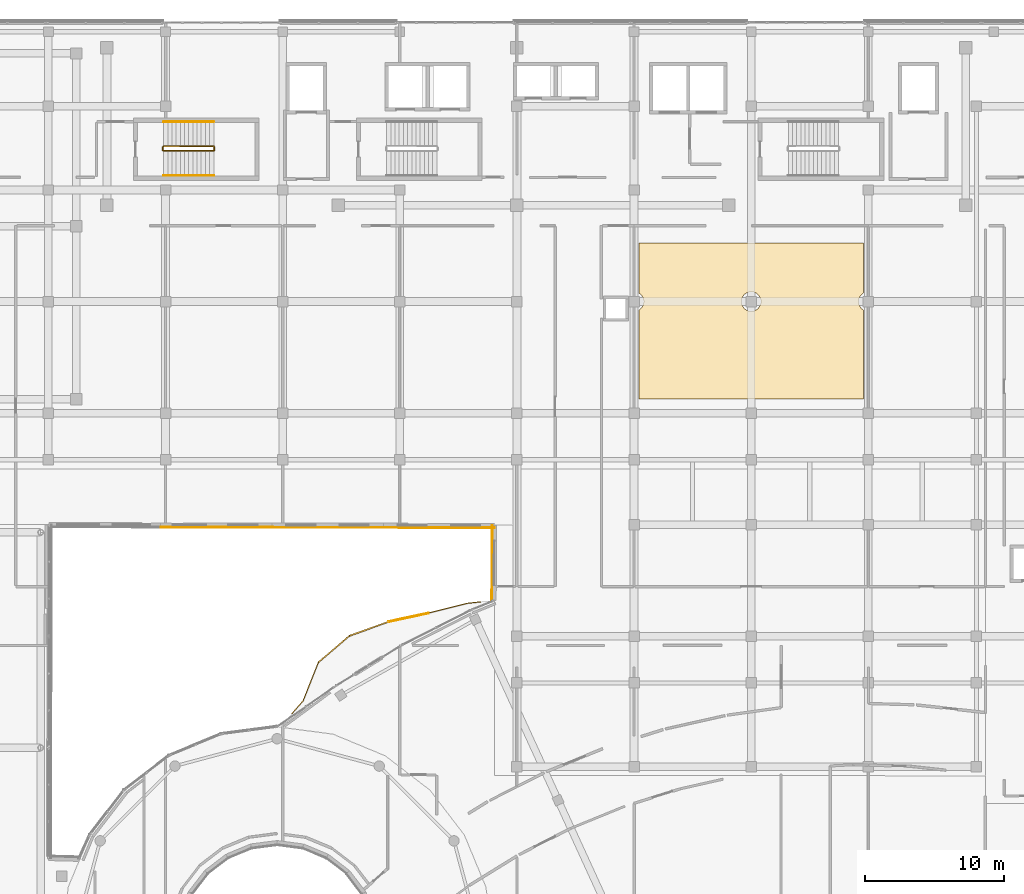
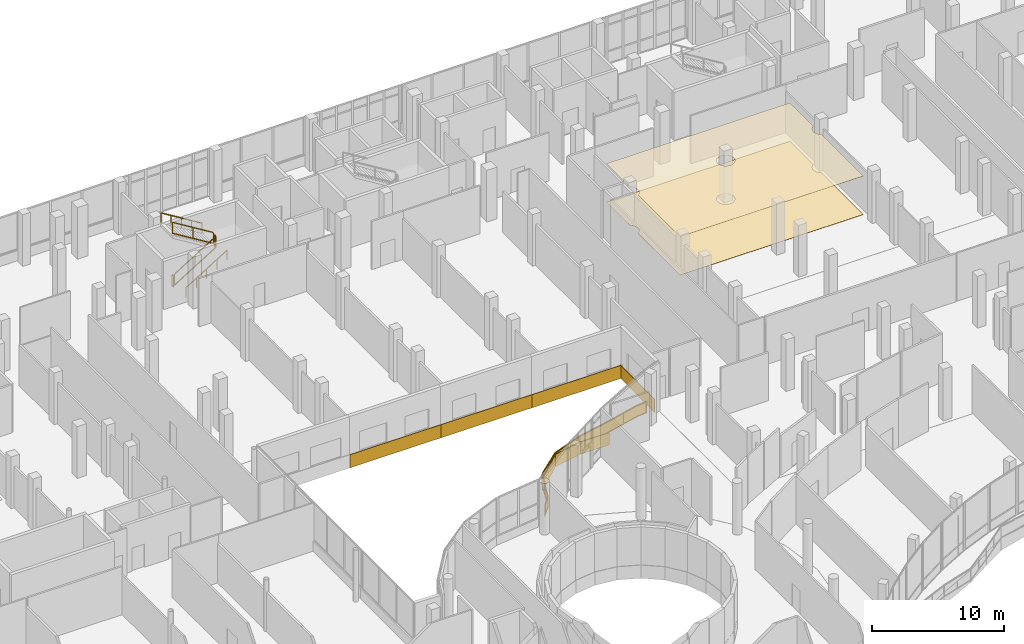
# One storey, part 152 of 155: 9 coverings, 8 railings.
"""IFC4 building model written with IfcOpenShell, lengths in metres."""

from ifc_helpers import new_model, si_unit, direction, frame, origin, origin_2d, place, context, subcontext, project, spatial, polyline, rectangle, circle, outline, extrude, material, layer, layer_set, type_object, element, save


model = new_model("IFC4")

# Units and contexts
model_context = context("Model", 3, precision=1e-05, world=origin(), true_north=direction((0.0, 1.0)))
body_context = subcontext(model_context, "Body", "Model", "MODEL_VIEW")
ifc_project = project(units=[si_unit("LENGTHUNIT", "METRE"), si_unit("AREAUNIT", "SQUARE_METRE"), si_unit("VOLUMEUNIT", "CUBIC_METRE"), si_unit("PLANEANGLEUNIT", "RADIAN"), si_unit("MASSUNIT", "GRAM", prefix="KILO")], contexts=[model_context])

# Site, building, storey
site_placement = place(None, origin())
site = spatial("IfcSite", under=ifc_project, at=site_placement, CompositionType="ELEMENT")
building_placement = place(site_placement, origin())
building = spatial("IfcBuilding", under=site, at=building_placement, Name="Selatvlak General Hospital", CompositionType="ELEMENT")
storey_placement = place(building_placement, frame((0.0, 0.0, 10.199951171875)))
storey = spatial("IfcBuildingStorey", under=building, at=storey_placement, Name="L02", CompositionType="ELEMENT", Elevation=10.199951171875)

# Coverings
ifc_material_1 = material(Name="Acoustic mineral fibre ceiling tile")
ifc_layer_1 = layer(ifc_material_1, 0.02490234375, Name="Acoustic mineral fibre ceiling tile")
ifc_layer_set_1 = layer_set([ifc_layer_1], Name="Acoustic mineral fibre ceiling tile")
covering_type_1 = type_object("IfcCoveringType", Name="COV-CEIL1", PredefinedType="CEILING", material=ifc_layer_set_1)
covering_1_placement = place(storey_placement, frame((0.0, 0.0, 3.56005859375)))
element("IfcCovering", 1, at=covering_1_placement, inside=storey, type_object=covering_type_1, Name="L02 clinical acoustic ceiling 006", PredefinedType="CEILING", context=body_context, shape_type="SweptSolid", body=[
    extrude(outline(polyline([(140.050048828125, 104.199951171875), (140.050048828125, 100.60498046875), (140.010986328125, 100.58203125), (139.9560546875, 100.541015625), (139.905029296875, 100.4951171875), (139.85888671875, 100.444091796875), (139.818115234375, 100.388916015625), (139.782958984375, 100.330078125), (139.7529296875, 100.26806640625), (139.72998046875, 100.202880859375), (139.712890625, 100.136962890625), (139.702880859375, 100.069091796875), (139.699951171875, 100.0), (139.702880859375, 99.930908203125), (139.712890625, 99.863037109375), (139.72998046875, 99.797119140625), (139.7529296875, 99.73193359375), (139.782958984375, 99.669921875), (139.818115234375, 99.611083984375), (139.85888671875, 99.555908203125), (139.905029296875, 99.5048828125), (139.9560546875, 99.458984375), (140.010986328125, 99.41796875), (140.050048828125, 99.39501953125), (140.050048828125, 93.0), (123.949951171875, 93.0), (123.949951171875, 99.39501953125), (123.989013671875, 99.41796875), (124.0439453125, 99.458984375), (124.094970703125, 99.5048828125), (124.14111328125, 99.555908203125), (124.181884765625, 99.611083984375), (124.217041015625, 99.669921875), (124.2470703125, 99.73193359375), (124.27001953125, 99.797119140625), (124.287109375, 99.863037109375), (124.297119140625, 99.930908203125), (124.300048828125, 100.0), (124.297119140625, 100.069091796875), (124.287109375, 100.136962890625), (124.27001953125, 100.202880859375), (124.2470703125, 100.26806640625), (124.217041015625, 100.330078125), (124.181884765625, 100.388916015625), (124.14111328125, 100.444091796875), (124.094970703125, 100.4951171875), (124.0439453125, 100.541015625), (123.989013671875, 100.58203125), (123.949951171875, 100.60498046875), (123.949951171875, 104.199951171875), (140.050048828125, 104.199951171875)]), holes=[polyline([(132.4951171875, 99.5048828125), (132.541015625, 99.555908203125), (132.58203125, 99.611083984375), (132.616943359375, 99.669921875), (132.64697265625, 99.73193359375), (132.669921875, 99.797119140625), (132.68701171875, 99.863037109375), (132.697021484375, 99.930908203125), (132.699951171875, 100.0), (132.697021484375, 100.069091796875), (132.68701171875, 100.136962890625), (132.669921875, 100.202880859375), (132.64697265625, 100.26806640625), (132.616943359375, 100.330078125), (132.58203125, 100.388916015625), (132.541015625, 100.444091796875), (132.4951171875, 100.4951171875), (132.444091796875, 100.541015625), (132.388916015625, 100.58203125), (132.330078125, 100.616943359375), (132.26806640625, 100.64697265625), (132.202880859375, 100.669921875), (132.136962890625, 100.68701171875), (132.069091796875, 100.697021484375), (132.0, 100.699951171875), (131.930908203125, 100.697021484375), (131.863037109375, 100.68701171875), (131.797119140625, 100.669921875), (131.73193359375, 100.64697265625), (131.669921875, 100.616943359375), (131.611083984375, 100.58203125), (131.555908203125, 100.541015625), (131.5048828125, 100.4951171875), (131.458984375, 100.444091796875), (131.41796875, 100.388916015625), (131.383056640625, 100.330078125), (131.35302734375, 100.26806640625), (131.330078125, 100.202880859375), (131.31298828125, 100.136962890625), (131.302978515625, 100.069091796875), (131.300048828125, 100.0), (131.302978515625, 99.930908203125), (131.31298828125, 99.863037109375), (131.330078125, 99.797119140625), (131.35302734375, 99.73193359375), (131.383056640625, 99.669921875), (131.41796875, 99.611083984375), (131.458984375, 99.555908203125), (131.5048828125, 99.5048828125), (131.555908203125, 99.458984375), (131.611083984375, 99.41796875), (131.669921875, 99.383056640625), (131.73193359375, 99.35302734375), (131.797119140625, 99.330078125), (131.863037109375, 99.31298828125), (131.930908203125, 99.302978515625), (132.0, 99.300048828125), (132.069091796875, 99.302978515625), (132.136962890625, 99.31298828125), (132.202880859375, 99.330078125), (132.26806640625, 99.35302734375), (132.330078125, 99.383056640625), (132.388916015625, 99.41796875), (132.444091796875, 99.458984375), (132.4951171875, 99.5048828125)])]), origin(), (0.0, 0.0, 1.0), 0.02490234375),
])
ifc_material_2 = material(Name="Homogeneous anti-static hospital vinyl flooring")
ifc_layer_2 = layer(ifc_material_2, 0.014892578125, Name="Homogeneous anti-static hospital vinyl flooring")
ifc_layer_set_2 = layer_set([ifc_layer_2], Name="Homogeneous anti-static hospital vinyl flooring")
covering_type_2 = type_object("IfcCoveringType", Name="COV-FLR1", PredefinedType="FLOORING", material=ifc_layer_set_2)
covering_2_placement = place(storey_placement, origin())
element("IfcCovering", 2, at=covering_2_placement, inside=storey, type_object=covering_type_2, Name="L02 seamless vinyl flooring 006", PredefinedType="FLOORING", context=body_context, shape_type="SweptSolid", body=[
    extrude(outline(polyline([(140.050048828125, 104.199951171875), (140.050048828125, 100.60498046875), (140.010986328125, 100.58203125), (139.9560546875, 100.541015625), (139.905029296875, 100.4951171875), (139.85888671875, 100.444091796875), (139.818115234375, 100.388916015625), (139.782958984375, 100.330078125), (139.7529296875, 100.26806640625), (139.72998046875, 100.202880859375), (139.712890625, 100.136962890625), (139.702880859375, 100.069091796875), (139.699951171875, 100.0), (139.702880859375, 99.930908203125), (139.712890625, 99.863037109375), (139.72998046875, 99.797119140625), (139.7529296875, 99.73193359375), (139.782958984375, 99.669921875), (139.818115234375, 99.611083984375), (139.85888671875, 99.555908203125), (139.905029296875, 99.5048828125), (139.9560546875, 99.458984375), (140.010986328125, 99.41796875), (140.050048828125, 99.39501953125), (140.050048828125, 93.0), (123.949951171875, 93.0), (123.949951171875, 99.39501953125), (123.989013671875, 99.41796875), (124.0439453125, 99.458984375), (124.094970703125, 99.5048828125), (124.14111328125, 99.555908203125), (124.181884765625, 99.611083984375), (124.217041015625, 99.669921875), (124.2470703125, 99.73193359375), (124.27001953125, 99.797119140625), (124.287109375, 99.863037109375), (124.297119140625, 99.930908203125), (124.300048828125, 100.0), (124.297119140625, 100.069091796875), (124.287109375, 100.136962890625), (124.27001953125, 100.202880859375), (124.2470703125, 100.26806640625), (124.217041015625, 100.330078125), (124.181884765625, 100.388916015625), (124.14111328125, 100.444091796875), (124.094970703125, 100.4951171875), (124.0439453125, 100.541015625), (123.989013671875, 100.58203125), (123.949951171875, 100.60498046875), (123.949951171875, 104.199951171875), (140.050048828125, 104.199951171875)]), holes=[polyline([(132.4951171875, 99.5048828125), (132.541015625, 99.555908203125), (132.58203125, 99.611083984375), (132.616943359375, 99.669921875), (132.64697265625, 99.73193359375), (132.669921875, 99.797119140625), (132.68701171875, 99.863037109375), (132.697021484375, 99.930908203125), (132.699951171875, 100.0), (132.697021484375, 100.069091796875), (132.68701171875, 100.136962890625), (132.669921875, 100.202880859375), (132.64697265625, 100.26806640625), (132.616943359375, 100.330078125), (132.58203125, 100.388916015625), (132.541015625, 100.444091796875), (132.4951171875, 100.4951171875), (132.444091796875, 100.541015625), (132.388916015625, 100.58203125), (132.330078125, 100.616943359375), (132.26806640625, 100.64697265625), (132.202880859375, 100.669921875), (132.136962890625, 100.68701171875), (132.069091796875, 100.697021484375), (132.0, 100.699951171875), (131.930908203125, 100.697021484375), (131.863037109375, 100.68701171875), (131.797119140625, 100.669921875), (131.73193359375, 100.64697265625), (131.669921875, 100.616943359375), (131.611083984375, 100.58203125), (131.555908203125, 100.541015625), (131.5048828125, 100.4951171875), (131.458984375, 100.444091796875), (131.41796875, 100.388916015625), (131.383056640625, 100.330078125), (131.35302734375, 100.26806640625), (131.330078125, 100.202880859375), (131.31298828125, 100.136962890625), (131.302978515625, 100.069091796875), (131.300048828125, 100.0), (131.302978515625, 99.930908203125), (131.31298828125, 99.863037109375), (131.330078125, 99.797119140625), (131.35302734375, 99.73193359375), (131.383056640625, 99.669921875), (131.41796875, 99.611083984375), (131.458984375, 99.555908203125), (131.5048828125, 99.5048828125), (131.555908203125, 99.458984375), (131.611083984375, 99.41796875), (131.669921875, 99.383056640625), (131.73193359375, 99.35302734375), (131.797119140625, 99.330078125), (131.863037109375, 99.31298828125), (131.930908203125, 99.302978515625), (132.0, 99.300048828125), (132.069091796875, 99.302978515625), (132.136962890625, 99.31298828125), (132.202880859375, 99.330078125), (132.26806640625, 99.35302734375), (132.330078125, 99.383056640625), (132.388916015625, 99.41796875), (132.444091796875, 99.458984375), (132.4951171875, 99.5048828125)])]), origin(), (0.0, 0.0, 1.0), 0.01513671875),
])
ifc_material_3 = material(Name="PVDF aluminium fascia - signal green", Category="aluminium")
ifc_layer_3 = layer(ifc_material_3, 0.070068359375, Name="PVDF aluminium fascia - signal green", Category="aluminium")
ifc_layer_set_3 = layer_set([ifc_layer_3], Name="PVDF aluminium fascia - signal green")
covering_type_3 = type_object("IfcCoveringType", Name="COV-RB-GRN", PredefinedType="CLADDING", material=ifc_layer_set_3)
covering_3_placement = place(storey_placement, frame((108.881103515625, 77.656005859375, -1.136962890625), z_axis=(0.0, 0.0, 1.0), x_axis=(-0.977778439585, -0.20964093847, 0.0)))
element("IfcCovering", 3, at=covering_3_placement, inside=storey, type_object=covering_type_3, Name="L02 De Stijl waving fascia streamer 282", PredefinedType="CLADDING", context=body_context, shape_type="SweptSolid", body=[
    extrude(outline(polyline([(0.0, 0.0), (2.981201171875, 0.531982421875), (2.981201171875, 1.671875), (0.0, 1.139892578125), (0.0, 0.0)])), frame((0.0, 0.03515625, 0.0), z_axis=(0.0, -1.0, 0.0), x_axis=(1.0, 0.0, 0.0)), (0.0, 0.0, 1.0), 0.070068359375),
])
covering_4_placement = place(storey_placement, frame((105.967041015625, 77.031005859375, -0.60498046875), z_axis=(0.0, 0.0, 1.0), x_axis=(-0.940910642747, -0.33865493111, 0.0)))
element("IfcCovering", 4, at=covering_4_placement, inside=storey, type_object=covering_type_3, Name="L02 De Stijl waving fascia streamer 283", PredefinedType="CLADDING", context=body_context, shape_type="SweptSolid", body=[
    extrude(outline(polyline([(0.0, 0.0), (2.947021484375, 0.422119140625), (2.947021484375, 1.56201171875), (0.0, 1.139892578125), (0.0, 0.0)])), frame((0.0, 0.03515625, 0.0), z_axis=(0.0, -1.0, 0.0), x_axis=(1.0, 0.0, 0.0)), (0.0, 0.0, 1.0), 0.070068359375),
])
covering_5_placement = place(storey_placement, frame((103.194091796875, 76.032958984375, -0.182861328125), z_axis=(0.0, 0.0, 1.0), x_axis=(-0.759964721212, -0.649964324031, 0.0)))
element("IfcCovering", 5, at=covering_5_placement, inside=storey, type_object=covering_type_3, Name="L02 De Stijl waving fascia streamer 284", PredefinedType="CLADDING", context=body_context, shape_type="SweptSolid", body=[
    extrude(outline(polyline([(0.0, 0.0), (2.918701171875, -0.31005859375), (2.918701171875, 0.829833984375), (0.0, 1.139892578125), (0.0, 0.0)])), frame((0.0, 0.03515625, 0.0), z_axis=(0.0, -1.0, 0.0), x_axis=(1.0, 0.0, 0.0)), (0.0, 0.0, 1.0), 0.070068359375),
])
ifc_material_4 = material(Name="White Bauhaus fair-faced cladding panel")
ifc_layer_4 = layer(ifc_material_4, 0.054931640625, Name="White Bauhaus fair-faced cladding panel")
ifc_layer_set_4 = layer_set([ifc_layer_4], Name="White Bauhaus fair-faced cladding panel")
covering_type_4 = type_object("IfcCoveringType", Name="COV-WHT1", PredefinedType="CLADDING", material=ifc_layer_set_4)
covering_6_placement = place(storey_placement, frame((113.4169921875, 81.2470703125, -0.27978515625), z_axis=(0.0, 0.0, 1.0), x_axis=(0.006859090176, 0.999976476164, 0.0)))
element("IfcCovering", 6, at=covering_6_placement, inside=storey, type_object=covering_type_4, Name="L02 Bauhaus horizontal white spandrel band 0184", PredefinedType="CLADDING", context=body_context, shape_type="SweptSolid", body=[
    extrude(rectangle(XDim=5.387939453125, YDim=0.054931640625, at=origin_2d()), origin(), (0.0, 0.0, 1.0), 1.219970703125),
])
for number, where, z_axis, x_axis, name in (
    (7, (109.60693359375, 83.782958984375, -0.27978515625), (0.0, 0.0, 1.0), (-0.999998223472, 0.001884954476, 0.0), "L02 Bauhaus horizontal white spandrel band 0185"),
    (8, (101.6220703125, 83.798095703125, -0.27978515625), (0.0, 0.0, 1.0), (-0.999998223472, 0.001884954476, 0.0), "L02 Bauhaus horizontal white spandrel band 0186"),
    (9, (93.636962890625, 83.81298828125, -0.27978515625), (0.0, 0.0, 1.0), (-0.999998223472, 0.001884954476, 0.0), "L02 Bauhaus horizontal white spandrel band 0187"),
):
    element("IfcCovering", number, at=place(storey_placement, frame(where, z_axis=z_axis, x_axis=x_axis)), inside=storey, type_object=covering_type_4, Name=name, PredefinedType="CLADDING", context=body_context, shape_type="SweptSolid", body=[
        extrude(rectangle(XDim=7.985107421875, YDim=0.054931640625, at=origin_2d()), origin(), (0.0, 0.0, 1.0), 1.219970703125),
    ])

# Railings
ifc_material_5 = material(Name="Stainless steel 316 safety balustrade", Category="steel")
railing_type_1 = type_object("IfcRailingType", Name="RAIL-BAL1", PredefinedType="BALUSTRADE", material=ifc_material_5)
railing_1_placement = place(storey_placement, frame((105.958984375, 77.0439453125, 0.0)))
element("IfcRailing", 10, at=railing_1_placement, inside=storey, type_object=railing_type_1, Name="L02 continuous curved balcony balustrade 0018", PredefinedType="BALUSTRADE", context=body_context, shape_type="SweptSolid", body=[
    extrude(rectangle(XDim=0.068115234375, YDim=0.068115234375, at=origin_2d()), frame((0.0029296875, 0.000732421875, 1.0859375), z_axis=(0.977778439585, 0.20964093847, 0.0), x_axis=(-0.20964093847, 0.977778439585, 0.0)), (0.0, 0.0, 1.0), 2.975341796875),
    extrude(rectangle(XDim=0.068115234375, YDim=0.068115234375, at=origin_2d()), frame((0.0029296875, 0.000732421875, 0.049072265625), z_axis=(0.977778439585, 0.20964093847, 0.0), x_axis=(-0.20964093847, 0.977778439585, 0.0)), (0.0, 0.0, 1.0), 2.975341796875),
    extrude(outline(polyline([(0.0, 0.0), (2.96923828125, 0.0), (2.96923828125, 0.94189453125), (0.0, 0.94189453125), (0.0, 0.0)])), frame((0.002197265625, 0.018798828125, 0.0849609375), z_axis=(0.20964093847, -0.977778439585, 0.0), x_axis=(0.977778439585, 0.20964093847, 0.0)), (0.0, 0.0, 1.0), 0.031982421875),
    extrude(rectangle(XDim=0.068115234375, YDim=0.068115234375, at=origin_2d()), frame((2.91796875, 0.625732421875, 1.0859375), z_axis=(0.970266523616, 0.242038990969, 0.0), x_axis=(-0.242038990969, 0.970266523616, 0.0)), (0.0, 0.0, 1.0), 2.885986328125),
    extrude(rectangle(XDim=0.068115234375, YDim=0.068115234375, at=origin_2d()), frame((2.91796875, 0.625732421875, 0.049072265625), z_axis=(0.970266523616, 0.242038990969, 0.0), x_axis=(-0.242038990969, 0.970266523616, 0.0)), (0.0, 0.0, 1.0), 2.885986328125),
    extrude(outline(polyline([(0.0, 0.0), (2.8798828125, 0.0), (2.8798828125, 0.94189453125), (0.0, 0.94189453125), (0.0, 0.0)])), frame((2.91650390625, 0.643798828125, 0.0849609375), z_axis=(0.242038990969, -0.970266523616, 0.0), x_axis=(0.970266523616, 0.242038990969, 0.0)), (0.0, 0.0, 1.0), 0.031982421875),
    extrude(rectangle(XDim=0.068115234375, YDim=0.068115234375, at=origin_2d()), frame((5.723876953125, 1.3251953125, 1.0859375), z_axis=(0.994588103419, 0.103896605029, 0.0), x_axis=(-0.103896605029, 0.994588103419, 0.0)), (0.0, 0.0, 1.0), 0.929443359375),
    extrude(rectangle(XDim=0.068115234375, YDim=0.068115234375, at=origin_2d()), frame((5.723876953125, 1.3251953125, 0.049072265625), z_axis=(0.994588103419, 0.103896605029, 0.0), x_axis=(-0.103896605029, 0.994588103419, 0.0)), (0.0, 0.0, 1.0), 0.929443359375),
    extrude(outline(polyline([(0.0, 0.0), (0.92333984375, 0.0), (0.92333984375, 0.94189453125), (0.0, 0.94189453125), (0.0, 0.0)])), frame((5.72509765625, 1.343505859375, 0.0849609375), z_axis=(0.103896605029, -0.994588103419, 0.0), x_axis=(0.994588103419, 0.103896605029, 0.0)), (0.0, 0.0, 1.0), 0.031982421875),
    extrude(rectangle(XDim=0.055908203125, YDim=0.055908203125, at=origin_2d()), origin(), (0.0, 0.0, 1.0), 1.049072265625),
    extrude(rectangle(XDim=0.055908203125, YDim=0.055908203125, at=origin_2d()), frame((1.45751953125, 0.3125, 0.0)), (0.0, 0.0, 1.0), 1.049072265625),
    extrude(rectangle(XDim=0.055908203125, YDim=0.055908203125, at=origin_2d()), frame((2.9150390625, 0.625, 0.0)), (0.0, 0.0, 1.0), 1.049072265625),
    extrude(rectangle(XDim=0.055908203125, YDim=0.055908203125, at=origin_2d()), frame((4.31787109375, 0.97509765625, 0.0)), (0.0, 0.0, 1.0), 1.049072265625),
    extrude(rectangle(XDim=0.055908203125, YDim=0.055908203125, at=origin_2d()), frame((5.720947265625, 1.324951171875, 0.0)), (0.0, 0.0, 1.0), 1.049072265625),
    extrude(rectangle(XDim=0.055908203125, YDim=0.055908203125, at=origin_2d()), frame((6.651123046875, 1.422119140625, 0.0)), (0.0, 0.0, 1.0), 1.049072265625),
])
railing_2_placement = place(storey_placement, frame((99.072998046875, 70.4619140625, 0.0)))
element("IfcRailing", 11, at=railing_2_placement, inside=storey, type_object=railing_type_1, Name="L02 continuous curved balcony balustrade 0019", PredefinedType="BALUSTRADE", context=body_context, shape_type="SweptSolid", body=[
    extrude(rectangle(XDim=0.068115234375, YDim=0.068115234375, at=origin_2d()), frame((0.001953125, 0.002197265625, 1.0859375), z_axis=(0.65912598883, 0.752032533105, 0.0), x_axis=(-0.752032533105, 0.65912598883, 0.0)), (0.0, 0.0, 1.0), 1.189697265625),
    extrude(rectangle(XDim=0.068115234375, YDim=0.068115234375, at=origin_2d()), frame((0.001953125, 0.002197265625, 0.049072265625), z_axis=(0.65912598883, 0.752032533105, 0.0), x_axis=(-0.752032533105, 0.65912598883, 0.0)), (0.0, 0.0, 1.0), 1.189697265625),
    extrude(outline(polyline([(0.0, 0.0), (1.18359375, 0.0), (1.18359375, 0.94189453125), (0.0, 0.94189453125), (0.0, 0.0)])), frame((-0.009521484375, 0.016357421875, 0.0849609375), z_axis=(0.752032533105, -0.65912598883, 0.0), x_axis=(0.65912598883, 0.752032533105, 0.0)), (0.0, 0.0, 1.0), 0.031982421875),
    extrude(rectangle(XDim=0.068115234375, YDim=0.068115234375, at=origin_2d()), frame((0.7890625, 0.90185546875, 1.0859375), z_axis=(0.369031913975, 0.929416723794, 0.0), x_axis=(-0.929416723794, 0.369031913975, 0.0)), (0.0, 0.0, 1.0), 2.99365234375),
    extrude(rectangle(XDim=0.068115234375, YDim=0.068115234375, at=origin_2d()), frame((0.7890625, 0.90185546875, 0.049072265625), z_axis=(0.369031913975, 0.929416723794, 0.0), x_axis=(-0.929416723794, 0.369031913975, 0.0)), (0.0, 0.0, 1.0), 2.99365234375),
    extrude(outline(polyline([(0.0, 0.0), (2.987548828125, 0.0), (2.987548828125, 0.94189453125), (0.0, 0.94189453125), (0.0, 0.0)])), frame((0.773681640625, 0.911376953125, 0.0849609375), z_axis=(0.929416723794, -0.369031913975, 0.0), x_axis=(0.369031913975, 0.929416723794, 0.0)), (0.0, 0.0, 1.0), 0.031982421875),
    extrude(rectangle(XDim=0.068115234375, YDim=0.068115234375, at=origin_2d()), frame((1.897216796875, 3.68896484375, 1.0859375), z_axis=(0.759964721212, 0.649964324031, 0.0), x_axis=(-0.649964324031, 0.759964721212, 0.0)), (0.0, 0.0, 1.0), 2.912841796875),
    extrude(rectangle(XDim=0.068115234375, YDim=0.068115234375, at=origin_2d()), frame((1.897216796875, 3.68896484375, 0.049072265625), z_axis=(0.759964721212, 0.649964324031, 0.0), x_axis=(-0.649964324031, 0.759964721212, 0.0)), (0.0, 0.0, 1.0), 2.912841796875),
    extrude(outline(polyline([(0.0, 0.0), (2.906494140625, 0.0), (2.906494140625, 0.94189453125), (0.0, 0.94189453125), (0.0, 0.0)])), frame((1.887939453125, 3.70458984375, 0.0849609375), z_axis=(0.649964324031, -0.759964721212, 0.0), x_axis=(0.759964721212, 0.649964324031, 0.0)), (0.0, 0.0, 1.0), 0.031982421875),
    extrude(rectangle(XDim=0.068115234375, YDim=0.068115234375, at=origin_2d()), frame((4.11572265625, 5.5849609375, 1.0859375), z_axis=(0.940910642747, 0.33865493111, 0.0), x_axis=(-0.33865493111, 0.940910642747, 0.0)), (0.0, 0.0, 1.0), 2.941162109375),
    extrude(rectangle(XDim=0.068115234375, YDim=0.068115234375, at=origin_2d()), frame((4.11572265625, 5.5849609375, 0.049072265625), z_axis=(0.940910642747, 0.33865493111, 0.0), x_axis=(-0.33865493111, 0.940910642747, 0.0)), (0.0, 0.0, 1.0), 2.941162109375),
    extrude(outline(polyline([(0.0, 0.0), (2.93505859375, 0.0), (2.93505859375, 0.94189453125), (0.0, 0.94189453125), (0.0, 0.0)])), frame((4.112548828125, 5.60302734375, 0.0849609375), z_axis=(0.33865493111, -0.940910642747, 0.0), x_axis=(0.940910642747, 0.33865493111, 0.0)), (0.0, 0.0, 1.0), 0.031982421875),
    extrude(rectangle(XDim=0.055908203125, YDim=0.055908203125, at=origin_2d()), origin(), (0.0, 0.0, 1.0), 1.049072265625),
    extrude(rectangle(XDim=0.055908203125, YDim=0.055908203125, at=origin_2d()), frame((0.7880859375, 0.899169921875, 0.0)), (0.0, 0.0, 1.0), 1.049072265625),
    extrude(rectangle(XDim=0.055908203125, YDim=0.055908203125, at=origin_2d()), frame((1.341552734375, 2.29296875, 0.0)), (0.0, 0.0, 1.0), 1.049072265625),
    extrude(rectangle(XDim=0.055908203125, YDim=0.055908203125, at=origin_2d()), frame((1.89501953125, 3.68701171875, 0.0)), (0.0, 0.0, 1.0), 1.049072265625),
    extrude(rectangle(XDim=0.055908203125, YDim=0.055908203125, at=origin_2d()), frame((3.00390625, 4.635498046875, 0.0)), (0.0, 0.0, 1.0), 1.049072265625),
    extrude(rectangle(XDim=0.055908203125, YDim=0.055908203125, at=origin_2d()), frame((4.113037109375, 5.583984375, 0.0)), (0.0, 0.0, 1.0), 1.049072265625),
    extrude(rectangle(XDim=0.055908203125, YDim=0.055908203125, at=origin_2d()), frame((5.49951171875, 6.0830078125, 0.0)), (0.0, 0.0, 1.0), 1.049072265625),
    extrude(rectangle(XDim=0.055908203125, YDim=0.055908203125, at=origin_2d()), frame((6.885986328125, 6.58203125, 0.0)), (0.0, 0.0, 1.0), 1.049072265625),
])
ifc_material_6 = material(Name="Stainless steel 316 stair guard", Category="steel")
railing_type_2 = type_object("IfcRailingType", Name="RAIL-STG", PredefinedType="GUARDRAIL", material=ifc_material_6)
railing_3_placement = place(storey_placement, frame((89.860107421875, 110.81005859375, 0.1845703125)))
element("IfcRailing", 12, at=railing_3_placement, inside=storey, type_object=railing_type_2, Name="L02 ST-02 stair guard 1", PredefinedType="GUARDRAIL", context=body_context, shape_type="SweptSolid", body=[
    extrude(rectangle(XDim=0.068115234375, YDim=0.068115234375, at=origin_2d()), frame((0.00244140625, 0.0, 1.067626953125), z_axis=(0.851628569182, 0.0, 0.524145762315), x_axis=(0.0, 1.0, 0.0)), (0.0, 0.0, 1.0), 4.22119140625),
    extrude(rectangle(XDim=0.068115234375, YDim=0.068115234375, at=origin_2d()), frame((0.00244140625, 0.0, 0.050537109375), z_axis=(0.851628569182, 0.0, 0.524145762315), x_axis=(0.0, 1.0, 0.0)), (0.0, 0.0, 1.0), 4.22119140625),
    extrude(rectangle(XDim=0.055908203125, YDim=0.055908203125, at=origin_2d()), origin(), (0.0, 0.0, 1.0), 1.029052734375),
    extrude(rectangle(XDim=0.055908203125, YDim=0.055908203125, at=origin_2d()), frame((1.7998046875, 0.0, 1.10791015625)), (0.0, 0.0, 1.0), 1.029052734375),
    extrude(rectangle(XDim=0.055908203125, YDim=0.055908203125, at=origin_2d()), frame((3.599853515625, 0.0, 2.215576171875)), (0.0, 0.0, 1.0), 1.029052734375),
])
railing_4_placement = place(storey_placement, frame((93.510009765625, 110.860107421875, 2.400146484375)))
element("IfcRailing", 13, at=railing_4_placement, inside=storey, type_object=railing_type_2, Name="L02 ST-02 stair guard 2", PredefinedType="GUARDRAIL", context=body_context, shape_type="SweptSolid", body=[
    extrude(rectangle(XDim=0.068115234375, YDim=0.068115234375, at=origin_2d()), frame((0.0, 0.0029296875, 1.06591796875), z_axis=(0.0, 1.0, 0.0), x_axis=(-1.0, 0.0, 0.0)), (0.0, 0.0, 1.0), 0.214111328125),
    extrude(rectangle(XDim=0.068115234375, YDim=0.068115234375, at=origin_2d()), frame((0.0, 0.0029296875, 0.049072265625), z_axis=(0.0, 1.0, 0.0), x_axis=(-1.0, 0.0, 0.0)), (0.0, 0.0, 1.0), 0.214111328125),
    extrude(rectangle(XDim=0.055908203125, YDim=0.055908203125, at=origin_2d()), origin(), (0.0, 0.0, 1.0), 1.029052734375),
    extrude(rectangle(XDim=0.055908203125, YDim=0.055908203125, at=origin_2d()), frame((0.0, 0.219970703125, 0.0)), (0.0, 0.0, 1.0), 1.029052734375),
])
railing_5_placement = place(storey_placement, frame((93.4599609375, 111.1298828125, 2.584716796875)))
element("IfcRailing", 14, at=railing_5_placement, inside=storey, type_object=railing_type_2, Name="L02 ST-02 stair guard 3", PredefinedType="GUARDRAIL", context=body_context, shape_type="SweptSolid", body=[
    extrude(rectangle(XDim=0.068115234375, YDim=0.068115234375, at=origin_2d()), frame((-0.00244140625, 0.0, 1.067626953125), z_axis=(-0.851654350407, 0.0, 0.524103870844), x_axis=(0.0, -1.0, 0.0)), (0.0, 0.0, 1.0), 4.220947265625),
    extrude(rectangle(XDim=0.068115234375, YDim=0.068115234375, at=origin_2d()), frame((-0.00244140625, 0.0, 0.050537109375), z_axis=(-0.851654350407, 0.0, 0.524103870844), x_axis=(0.0, -1.0, 0.0)), (0.0, 0.0, 1.0), 4.220947265625),
    extrude(rectangle(XDim=0.055908203125, YDim=0.055908203125, at=origin_2d()), origin(), (0.0, 0.0, 1.0), 1.029052734375),
    extrude(rectangle(XDim=0.055908203125, YDim=0.055908203125, at=origin_2d()), frame((-1.7998046875, 0.0, 1.107666015625)), (0.0, 0.0, 1.0), 1.029052734375),
    extrude(rectangle(XDim=0.055908203125, YDim=0.055908203125, at=origin_2d()), frame((-3.599853515625, 0.0, 2.21533203125)), (0.0, 0.0, 1.0), 1.029052734375),
])
railing_6_placement = place(storey_placement, frame((89.81005859375, 110.860107421875, 0.0)))
element("IfcRailing", 15, at=railing_6_placement, inside=storey, type_object=railing_type_2, Name="L02 ST-02 stair guard 4", PredefinedType="GUARDRAIL", context=body_context, shape_type="SweptSolid", body=[
    extrude(rectangle(XDim=0.068115234375, YDim=0.068115234375, at=origin_2d()), frame((0.0, 0.0029296875, 1.06591796875), z_axis=(0.0, 1.0, 0.0), x_axis=(-1.0, 0.0, 0.0)), (0.0, 0.0, 1.0), 0.214111328125),
    extrude(rectangle(XDim=0.068115234375, YDim=0.068115234375, at=origin_2d()), frame((0.0, 0.0029296875, 0.049072265625), z_axis=(0.0, 1.0, 0.0), x_axis=(-1.0, 0.0, 0.0)), (0.0, 0.0, 1.0), 0.214111328125),
    extrude(rectangle(XDim=0.055908203125, YDim=0.055908203125, at=origin_2d()), origin(), (0.0, 0.0, 1.0), 1.029052734375),
    extrude(rectangle(XDim=0.055908203125, YDim=0.055908203125, at=origin_2d()), frame((0.0, 0.219970703125, 0.0)), (0.0, 0.0, 1.0), 1.029052734375),
])
ifc_material_7 = material(Name="Stainless steel 316 handrail", Category="steel")
railing_type_3 = type_object("IfcRailingType", Name="RAIL-STH", PredefinedType="HANDRAIL", material=ifc_material_7)
railing_7_placement = place(storey_placement, frame((89.860107421875, 109.050048828125, 0.1845703125)))
element("IfcRailing", 16, at=railing_7_placement, inside=storey, type_object=railing_type_3, Name="L02 ST-02 stair handrail 1", PredefinedType="HANDRAIL", context=body_context, shape_type="SweptSolid", body=[
    extrude(circle(Radius=0.02392578125, at=origin_2d()), frame((0.00244140625, 0.0, 0.87744140625), z_axis=(0.851628569182, 0.0, 0.524145762315), x_axis=(0.0, 1.0, 0.0)), (0.0, 0.0, 1.0), 4.22119140625),
    extrude(circle(Radius=0.02099609375, at=origin_2d()), origin(), (0.0, 0.0, 1.0), 0.848876953125),
    extrude(circle(Radius=0.02099609375, at=origin_2d()), frame((0.89990234375, 0.0, 0.553955078125)), (0.0, 0.0, 1.0), 0.848876953125),
    extrude(circle(Radius=0.02099609375, at=origin_2d()), frame((1.7998046875, 0.0, 1.10791015625)), (0.0, 0.0, 1.0), 0.848876953125),
    extrude(circle(Radius=0.02099609375, at=origin_2d()), frame((2.699951171875, 0.0, 1.66162109375)), (0.0, 0.0, 1.0), 0.848876953125),
    extrude(circle(Radius=0.02099609375, at=origin_2d()), frame((3.599853515625, 0.0, 2.215576171875)), (0.0, 0.0, 1.0), 0.848876953125),
])
railing_8_placement = place(storey_placement, frame((93.4599609375, 112.889892578125, 2.584716796875)))
element("IfcRailing", 17, at=railing_8_placement, inside=storey, type_object=railing_type_3, Name="L02 ST-02 stair handrail 2", PredefinedType="HANDRAIL", context=body_context, shape_type="SweptSolid", body=[
    extrude(circle(Radius=0.02392578125, at=origin_2d()), frame((-0.00244140625, 0.0, 0.87744140625), z_axis=(-0.851654350407, 0.0, 0.524103870844), x_axis=(0.0, -1.0, 0.0)), (0.0, 0.0, 1.0), 4.220947265625),
    extrude(circle(Radius=0.02099609375, at=origin_2d()), origin(), (0.0, 0.0, 1.0), 0.848876953125),
    extrude(circle(Radius=0.02099609375, at=origin_2d()), frame((-0.89990234375, 0.0, 0.5537109375)), (0.0, 0.0, 1.0), 0.848876953125),
    extrude(circle(Radius=0.02099609375, at=origin_2d()), frame((-1.7998046875, 0.0, 1.107666015625)), (0.0, 0.0, 1.0), 0.848876953125),
    extrude(circle(Radius=0.02099609375, at=origin_2d()), frame((-2.699951171875, 0.0, 1.66162109375)), (0.0, 0.0, 1.0), 0.848876953125),
    extrude(circle(Radius=0.02099609375, at=origin_2d()), frame((-3.599853515625, 0.0, 2.21533203125)), (0.0, 0.0, 1.0), 0.848876953125),
])

save(model, "model.ifc")
